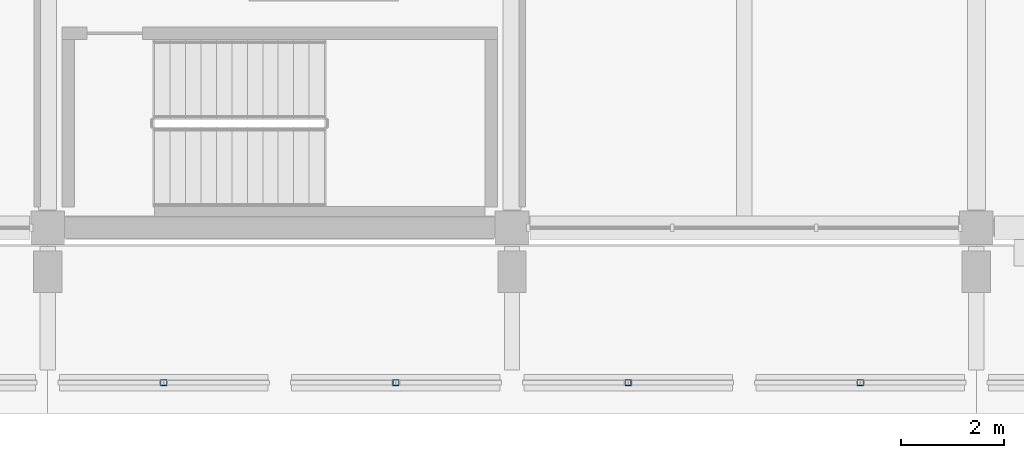
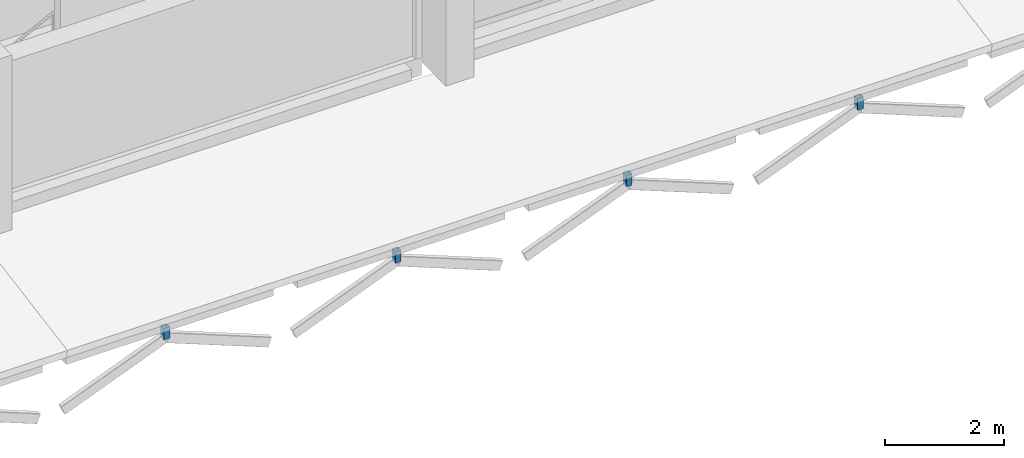
# One storey, part 86 of 132: 4 members.
"""IFC4 building model written with IfcOpenShell, lengths in metres."""

from ifc_helpers import new_model, si_unit, direction, frame, origin, origin_2d, place, context, subcontext, project, spatial, hollow_rectangle, extrude, material, material_profile, profile_set, type_object, element, save


model = new_model("IFC4")

# Units and contexts
model_context = context("Model", 3, precision=1e-05, world=origin(), true_north=direction((0.0, 1.0)))
body_context = subcontext(model_context, "Body", "Model", "MODEL_VIEW")
ifc_project = project(units=[si_unit("LENGTHUNIT", "METRE"), si_unit("AREAUNIT", "SQUARE_METRE"), si_unit("VOLUMEUNIT", "CUBIC_METRE"), si_unit("PLANEANGLEUNIT", "RADIAN"), si_unit("MASSUNIT", "GRAM", prefix="KILO")], contexts=[model_context])

# Site, building, storey
site_placement = place(None, origin())
site = spatial("IfcSite", under=ifc_project, at=site_placement, CompositionType="ELEMENT")
building_placement = place(site_placement, origin())
building = spatial("IfcBuilding", under=site, at=building_placement, Name="Tharagai Park Tramway Depot", CompositionType="ELEMENT")
storey_placement = place(building_placement, frame((0.0, 0.0, 4.800048828125)))
storey = spatial("IfcBuildingStorey", under=building, at=storey_placement, Name="L01", CompositionType="ELEMENT", Elevation=4.800048828125)

# Members
ifc_material = material(Name="Steel E250", Category="steel")
ifc_material_profile = material_profile(ifc_material, hollow_rectangle(XDim=0.1201171875, YDim=0.1201171875, WallThickness=0.0048828125, InnerFilletRadius=0.0048828125, OuterFilletRadius=0.010009765625, at=origin_2d()), Name="SHS 120x120x5")
ifc_profile_set = profile_set([ifc_material_profile], Name="Steel E250")
member_type = type_object("IfcMemberType", Name="BR-08", PredefinedType="BRACE", material=ifc_profile_set)
for number, where, z_axis, x_axis, name in (
    (1, (38.25, -3.0, -1.840087890625), (0.0, 0.0, 1.0), (1.0, 0.0, 0.0), "Pointed Gothic Spandrel Tracery Post BR-08"),
    (2, (42.75, -3.0, -1.840087890625), (0.0, 0.0, 1.0), (1.0, 0.0, 0.0), "Pointed Gothic Spandrel Tracery Post BR-08"),
    (3, (47.25, -3.0, -1.840087890625), (0.0, 0.0, 1.0), (1.0, 0.0, 0.0), "Pointed Gothic Spandrel Tracery Post BR-08"),
    (4, (51.75, -3.0, -1.840087890625), (0.0, 0.0, 1.0), (1.0, 0.0, 0.0), "Pointed Gothic Spandrel Tracery Post BR-08"),
):
    element("IfcMember", number, at=place(storey_placement, frame(where, z_axis=z_axis, x_axis=x_axis)), inside=storey, type_object=member_type, Name=name, PredefinedType="BRACE", context=body_context, shape_type="SweptSolid", body=[
        extrude(hollow_rectangle(XDim=0.1201171875, YDim=0.1201171875, WallThickness=0.0048828125, InnerFilletRadius=0.0048828125, OuterFilletRadius=0.010009765625, at=origin_2d()), origin(), (0.0, 0.0, 1.0), 0.22998046875),
    ])

save(model, "model.ifc")
